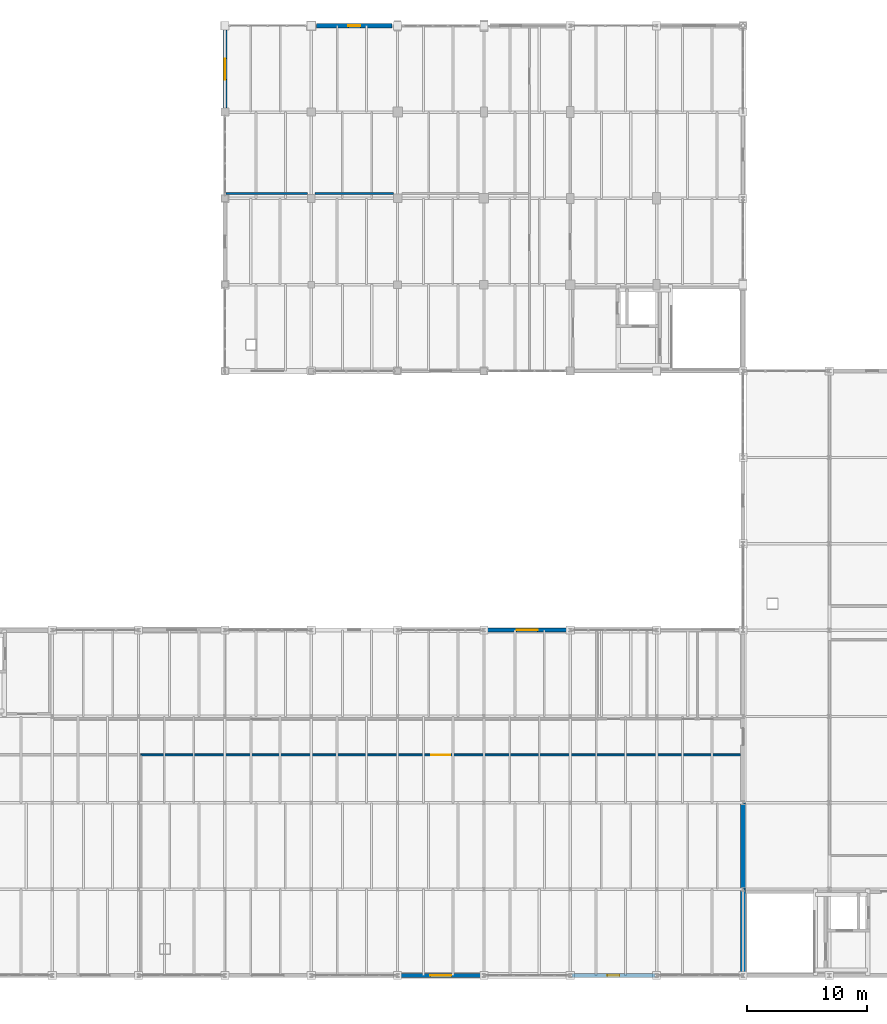
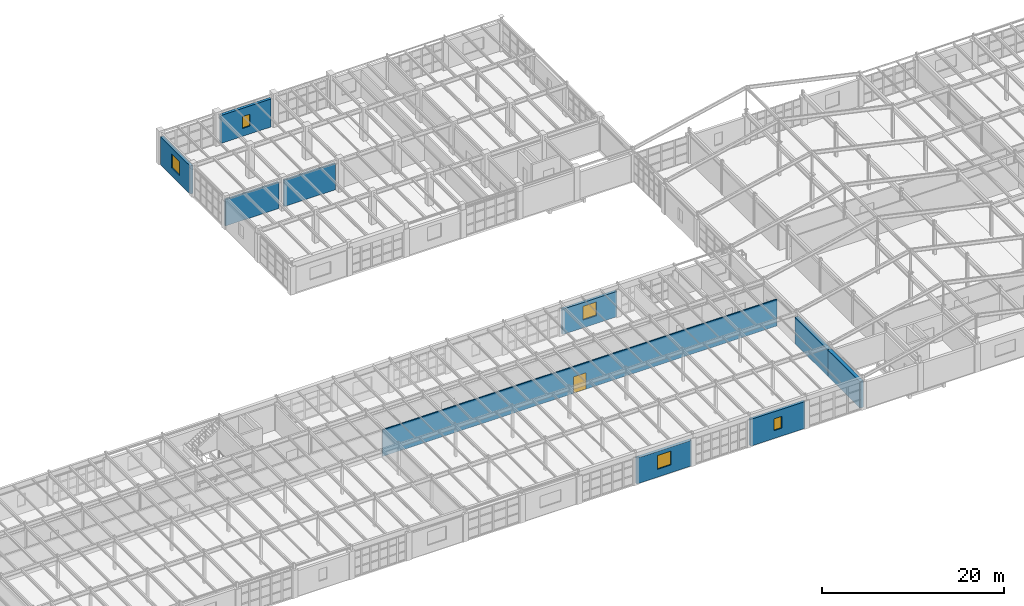
# One storey, part 128 of 137: 10 walls, 5 windows, 1 door, 6 openings.
"""IFC4 building model written with IfcOpenShell, lengths in metres."""

from ifc_helpers import new_model, si_unit, direction, frame, frame_2d, origin, place, context, subcontext, project, spatial, rectangle, extrude, material, layer, layer_set, type_object, element, fill, save


model = new_model("IFC4")

# Units and contexts
model_context = context("Model", 3, precision=1e-05, world=origin(), true_north=direction((0.0, 1.0)))
body_context = subcontext(model_context, "Body", "Model", "MODEL_VIEW")
ifc_project = project(units=[si_unit("LENGTHUNIT", "METRE"), si_unit("AREAUNIT", "SQUARE_METRE"), si_unit("VOLUMEUNIT", "CUBIC_METRE"), si_unit("PLANEANGLEUNIT", "RADIAN"), si_unit("MASSUNIT", "GRAM", prefix="KILO")], contexts=[model_context])

# Site, building, storey
site_placement = place(None, origin())
site = spatial("IfcSite", under=ifc_project, at=site_placement, CompositionType="ELEMENT")
building_placement = place(site_placement, origin())
building = spatial("IfcBuilding", under=site, at=building_placement, Name="Kemerveld Promenade Tramway Depot", CompositionType="ELEMENT")
storey_placement = place(building_placement, frame((0.0, 0.0, 5.39990234375)))
storey = spatial("IfcBuildingStorey", under=building, at=storey_placement, Name="L01", CompositionType="ELEMENT", Elevation=5.39990234375)

# Wall, opening, window
ifc_material_1 = material(Name="Banded granite and red-ochre clay brick masonry", Category="masonry")
ifc_layer_1 = layer(ifc_material_1, 0.35009765625)
ifc_layer_set_1 = layer_set([ifc_layer_1], Name="WL-EXT-350")
wall_type_1 = type_object("IfcWallType", Name="WL-EXT-350", PredefinedType="SOLIDWALL", material=ifc_layer_set_1)
wall_1_placement = place(storey_placement, frame((151.0498046875, 0.0, 0.0), z_axis=(0.0, 0.0, 1.0), x_axis=(-1.0, 0.0, 0.0)))
wall_1 = element("IfcWall", 1, at=wall_1_placement, inside=storey, type_object=wall_type_1, Name="WL-L01-V4S-02", PredefinedType="SOLIDWALL", context=body_context, shape_type="SweptSolid", body=[
    extrude(rectangle(XDim=6.899658203125, YDim=0.35009765625, at=frame_2d((3.44970703125, 0.0))), origin(), (0.0, 0.0, 1.0), 3.590087890625),
])
opening_1_placement = place(wall_1_placement, frame((2.949951171875, 0.0, 1.050048828125)))
opening_1 = element("IfcOpeningElement", 2, at=opening_1_placement, cuts=wall_1, Name="Opening W-157", PredefinedType="OPENING", context=body_context, shape_type="SweptSolid", body=[
    extrude(rectangle(XDim=1.0, YDim=1.60009765625, at=frame_2d((0.5, 0.800048828125))), frame((0.0, 0.18505859375, 0.0), z_axis=(0.0, -1.0, 0.0), x_axis=(1.0, 0.0, 0.0)), (0.0, 0.0, 1.0), 0.3701171875),
])
ifc_material_2 = material(Name="Bronze anodised aluminium and low-e glass", Category="aluminium")
window_type_1 = type_object("IfcWindowType", Name="WN-20", PartitioningType="SINGLE_PANEL", PredefinedType="WINDOW", material=ifc_material_2)
window_1_placement = place(opening_1_placement, origin())
window_1 = element("IfcWindow", 3, at=window_1_placement, inside=storey, type_object=window_type_1, Name="WN-L01-V4S-02", OverallHeight=1.60009765625, OverallWidth=1.0, PartitioningType="SINGLE_PANEL", PredefinedType="WINDOW", context=body_context, shape_type="SweptSolid", body=[
    extrude(rectangle(XDim=1.0, YDim=1.60009765625, at=frame_2d((0.5, 0.800048828125))), frame((0.0, 0.030029296875, 0.0), z_axis=(0.0, -1.0, 0.0), x_axis=(1.0, 0.0, 0.0)), (0.0, 0.0, 1.0), 0.06005859375),
])
fill(opening_1, window_1)

wall_2_placement = place(storey_placement, frame((136.64990234375, 0.0, 0.0), z_axis=(0.0, 0.0, 1.0), x_axis=(-1.0, 0.0, 0.0)))
wall_2 = element("IfcWall", 4, at=wall_2_placement, inside=storey, type_object=wall_type_1, Name="WL-L01-V4S-04", PredefinedType="SOLIDWALL", context=body_context, shape_type="SweptSolid", body=[
    extrude(rectangle(XDim=6.89990234375, YDim=0.35009765625, at=frame_2d((3.449951171875, 0.0))), origin(), (0.0, 0.0, 1.0), 3.440185546875),
])
opening_2_placement = place(wall_2_placement, frame((2.574951171875, 0.0, 1.050048828125)))
opening_2 = element("IfcOpeningElement", 5, at=opening_2_placement, cuts=wall_2, Name="Opening W-158", PredefinedType="OPENING", context=body_context, shape_type="SweptSolid", body=[
    extrude(rectangle(XDim=1.75, YDim=1.85009765625, at=frame_2d((0.875, 0.925048828125))), frame((0.0, 0.18505859375, 0.0), z_axis=(0.0, -1.0, 0.0), x_axis=(1.0, 0.0, 0.0)), (0.0, 0.0, 1.0), 0.3701171875),
])
window_type_2 = type_object("IfcWindowType", Name="WN-30", PartitioningType="SINGLE_PANEL", PredefinedType="WINDOW", material=ifc_material_2)
window_2_placement = place(opening_2_placement, origin())
window_2 = element("IfcWindow", 6, at=window_2_placement, inside=storey, type_object=window_type_2, Name="WN-L01-V4S-04", OverallHeight=1.85009765625, OverallWidth=1.75, PartitioningType="SINGLE_PANEL", PredefinedType="WINDOW", context=body_context, shape_type="SweptSolid", body=[
    extrude(rectangle(XDim=1.75, YDim=1.85009765625, at=frame_2d((0.875, 0.925048828125))), frame((0.0, 0.030029296875, 0.0), z_axis=(0.0, -1.0, 0.0), x_axis=(1.0, 0.0, 0.0)), (0.0, 0.0, 1.0), 0.06005859375),
])
fill(opening_2, window_2)

wall_3_placement = place(storey_placement, frame((136.9501953125, 28.800048828125, 0.0), z_axis=(0.0, 0.0, 1.0), x_axis=(1.0, 0.0, 0.0)))
wall_3 = element("IfcWall", 7, at=wall_3_placement, inside=storey, type_object=wall_type_1, Name="WL-L01-V4N-12", PredefinedType="SOLIDWALL", context=body_context, shape_type="SweptSolid", body=[
    extrude(rectangle(XDim=6.899658203125, YDim=0.35009765625, at=frame_2d((3.44970703125, 0.0))), origin(), (0.0, 0.0, 1.0), 3.39013671875),
])
opening_3_placement = place(wall_3_placement, frame((2.574951171875, 0.0, 1.050048828125)))
opening_3 = element("IfcOpeningElement", 8, at=opening_3_placement, cuts=wall_3, Name="Opening W-168", PredefinedType="OPENING", context=body_context, shape_type="SweptSolid", body=[
    extrude(rectangle(XDim=1.75, YDim=1.85009765625, at=frame_2d((0.875, 0.925048828125))), frame((0.0, 0.18505859375, 0.0), z_axis=(0.0, -1.0, 0.0), x_axis=(1.0, 0.0, 0.0)), (0.0, 0.0, 1.0), 0.3701171875),
])
window_3_placement = place(opening_3_placement, origin())
window_3 = element("IfcWindow", 9, at=window_3_placement, inside=storey, type_object=window_type_2, Name="WN-L01-V4N-12", OverallHeight=1.85009765625, OverallWidth=1.75, PartitioningType="SINGLE_PANEL", PredefinedType="WINDOW", context=body_context, shape_type="SweptSolid", body=[
    extrude(rectangle(XDim=1.75, YDim=1.85009765625, at=frame_2d((0.875, 0.925048828125))), frame((0.0, 0.030029296875, 0.0), z_axis=(0.0, -1.0, 0.0), x_axis=(1.0, 0.0, 0.0)), (0.0, 0.0, 1.0), 0.06005859375),
])
fill(opening_3, window_3)

wall_4_placement = place(storey_placement, frame((115.199951171875, 72.344970703125, 0.0), z_axis=(0.0, 0.0, 1.0), x_axis=(0.0, 1.0, 0.0)))
wall_4 = element("IfcWall", 10, at=wall_4_placement, inside=storey, type_object=wall_type_1, Name="WL-L01-V3W-04", PredefinedType="SOLIDWALL", context=body_context, shape_type="SweptSolid", body=[
    extrude(rectangle(XDim=6.485107421875, YDim=0.35009765625, at=frame_2d((3.24267578125, 0.0))), origin(), (0.0, 0.0, 1.0), 3.75),
])
opening_4_placement = place(wall_4_placement, frame((2.367919921875, 0.0, 1.050048828125)))
opening_4 = element("IfcOpeningElement", 11, at=opening_4_placement, cuts=wall_4, Name="Opening W-171", PredefinedType="OPENING", context=body_context, shape_type="SweptSolid", body=[
    extrude(rectangle(XDim=1.75, YDim=1.85009765625, at=frame_2d((0.875, 0.925048828125))), frame((0.0, 0.18505859375, 0.0), z_axis=(0.0, -1.0, 0.0), x_axis=(1.0, 0.0, 0.0)), (0.0, 0.0, 1.0), 0.3701171875),
])
window_4_placement = place(opening_4_placement, origin())
window_4 = element("IfcWindow", 12, at=window_4_placement, inside=storey, type_object=window_type_2, Name="WN-L01-V3W-04", OverallHeight=1.85009765625, OverallWidth=1.75, PartitioningType="SINGLE_PANEL", PredefinedType="WINDOW", context=body_context, shape_type="SweptSolid", body=[
    extrude(rectangle(XDim=1.75, YDim=1.85009765625, at=frame_2d((0.875, 0.925048828125))), frame((0.0, 0.030029296875, 0.0), z_axis=(0.0, -1.0, 0.0), x_axis=(1.0, 0.0, 0.0)), (0.0, 0.0, 1.0), 0.06005859375),
])
fill(opening_4, window_4)

wall_5_placement = place(storey_placement, frame((122.820068359375, 79.199951171875, 0.0), z_axis=(0.0, 0.0, 1.0), x_axis=(1.0, 0.0, 0.0)))
wall_5 = element("IfcWall", 13, at=wall_5_placement, inside=storey, type_object=wall_type_1, Name="WL-L01-V3N-02", PredefinedType="SOLIDWALL", context=body_context, shape_type="SweptSolid", body=[
    extrude(rectangle(XDim=6.3349609375, YDim=0.35009765625, at=frame_2d((3.16748046875, 0.0))), origin(), (0.0, 0.0, 1.0), 3.75),
])
opening_5_placement = place(wall_5_placement, frame((2.6669921875, 0.0, 1.050048828125)))
opening_5 = element("IfcOpeningElement", 14, at=opening_5_placement, cuts=wall_5, Name="Opening W-172", PredefinedType="OPENING", context=body_context, shape_type="SweptSolid", body=[
    extrude(rectangle(XDim=1.0, YDim=1.60009765625, at=frame_2d((0.5, 0.800048828125))), frame((0.0, 0.18505859375, 0.0), z_axis=(0.0, -1.0, 0.0), x_axis=(1.0, 0.0, 0.0)), (0.0, 0.0, 1.0), 0.3701171875),
])
window_5_placement = place(opening_5_placement, origin())
window_5 = element("IfcWindow", 15, at=window_5_placement, inside=storey, type_object=window_type_1, Name="WN-L01-V3N-02", OverallHeight=1.60009765625, OverallWidth=1.0, PartitioningType="SINGLE_PANEL", PredefinedType="WINDOW", context=body_context, shape_type="SweptSolid", body=[
    extrude(rectangle(XDim=1.0, YDim=1.60009765625, at=frame_2d((0.5, 0.800048828125))), frame((0.0, 0.030029296875, 0.0), z_axis=(0.0, -1.0, 0.0), x_axis=(1.0, 0.0, 0.0)), (0.0, 0.0, 1.0), 0.06005859375),
])
fill(opening_5, window_5)

# Walls
ifc_material_3 = material(Name="Concrete C40/50", Category="concrete")
ifc_layer_2 = layer(ifc_material_3, 0.449951171875)
ifc_layer_set_2 = layer_set([ifc_layer_2], Name="WL-FIRE-450")
wall_type_2 = type_object("IfcWallType", Name="WL-FIRE-450", PredefinedType="SOLIDWALL", material=ifc_layer_set_2)
wall_6_placement = place(storey_placement, frame((158.39990234375, 0.15380859375, 0.0), z_axis=(0.0, 0.0, 1.0), x_axis=(0.0, 1.0, 0.0)))
element("IfcWall", 16, at=wall_6_placement, inside=storey, type_object=wall_type_2, Name="WL-FIRE-L01-F42-1", PredefinedType="SOLIDWALL", context=body_context, shape_type="SweptSolid", body=[
    extrude(rectangle(XDim=7.046142578125, YDim=0.449951171875, at=frame_2d((3.52294921875, 0.0))), origin(), (0.0, 0.0, 1.0), 3.552734375),
])
wall_7_placement = place(storey_placement, frame((158.39990234375, 7.199951171875, 0.0), z_axis=(0.0, 0.0, 1.0), x_axis=(0.0, 1.0, 0.0)))
element("IfcWall", 17, at=wall_7_placement, inside=storey, type_object=wall_type_2, Name="WL-FIRE-L01-F42-2", PredefinedType="SOLIDWALL", context=body_context, shape_type="SweptSolid", body=[
    extrude(rectangle(XDim=7.199951171875, YDim=0.449951171875, at=frame_2d((3.60009765625, 0.0))), origin(), (0.0, 0.0, 1.0), 3.552734375),
])

# Wall, opening, door
ifc_material_4 = material(Name="Acoustic twin-stud gypsum partition")
ifc_layer_3 = layer(ifc_material_4, 0.159912109375)
ifc_layer_set_3 = layer_set([ifc_layer_3], Name="WL-PRT-160")
wall_type_3 = type_object("IfcWallType", Name="WL-PRT-160", PredefinedType="PARTITIONING", material=ifc_layer_set_3)
wall_8_placement = place(storey_placement, frame((108.199951171875, 18.39990234375, 0.0), z_axis=(0.0, 0.0, 1.0), x_axis=(1.0, 0.0, 0.0)))
wall_8 = element("IfcWall", 18, at=wall_8_placement, inside=storey, type_object=wall_type_3, Name="WL-PRT-RM-L01-V4-GAL2", PredefinedType="PARTITIONING", context=body_context, shape_type="SweptSolid", body=[
    extrude(rectangle(XDim=49.97509765625, YDim=0.159912109375, at=frame_2d((24.987548828125, 0.0))), origin(), (0.0, 0.0, 1.0), 3.550048828125),
])
opening_6_placement = place(wall_8_placement, frame((24.199951171875, 0.0, 0.0)))
opening_6 = element("IfcOpeningElement", 19, at=opening_6_placement, cuts=wall_8, Name="Opening D-637", PredefinedType="OPENING", context=body_context, shape_type="SweptSolid", body=[
    extrude(rectangle(XDim=1.60009765625, YDim=2.199951171875, at=frame_2d((0.800048828125, 1.10009765625))), frame((0.0, 0.08984375, 0.0), z_axis=(0.0, -1.0, 0.0), x_axis=(1.0, 0.0, 0.0)), (0.0, 0.0, 1.0), 0.179931640625),
])
ifc_material_5 = material(Name="Double glazed gallery and canteen door")
door_type = type_object("IfcDoorType", Name="DR-INT05", OperationType="DOUBLE_SWING_LEFT", PredefinedType="DOOR", material=ifc_material_5)
door_placement = place(opening_6_placement, origin())
door = element("IfcDoor", 20, at=door_placement, inside=storey, type_object=door_type, Name="DR-RM-RM-L01-V4-GAL2", OperationType="DOUBLE_SWING_LEFT", OverallHeight=2.199951171875, OverallWidth=1.60009765625, PredefinedType="DOOR", context=body_context, shape_type="SweptSolid", body=[
    extrude(rectangle(XDim=1.60009765625, YDim=2.199951171875, at=frame_2d((0.800048828125, 1.10009765625))), frame((0.0, 0.02490234375, 0.0), z_axis=(0.0, -1.0, 0.0), x_axis=(1.0, 0.0, 0.0)), (0.0, 0.0, 1.0), 0.050048828125),
])
fill(opening_6, door)

# Walls
ifc_material_6 = material(Name="Plant and substation fire partition")
ifc_layer_4 = layer(ifc_material_6, 0.18994140625)
ifc_layer_set_4 = layer_set([ifc_layer_4], Name="WL-PRT-190")
wall_type_4 = type_object("IfcWallType", Name="WL-PRT-190", PredefinedType="PARTITIONING", material=ifc_layer_set_4)
wall_9_placement = place(storey_placement, frame((115.300048828125, 65.199951171875, 0.0), z_axis=(0.0, 0.0, 1.0), x_axis=(1.0, 0.0, 0.0)))
element("IfcWall", 21, at=wall_9_placement, inside=storey, type_object=wall_type_4, Name="WL-DIV-L01-018", PredefinedType="PARTITIONING", context=body_context, shape_type="SweptSolid", body=[
    extrude(rectangle(XDim=6.77294921875, YDim=0.18994140625, at=frame_2d((3.386474609375, 0.0))), origin(), (0.0, 0.0, 1.0), 3.550048828125),
])
wall_10_placement = place(storey_placement, frame((122.72705078125, 65.199951171875, 0.0), z_axis=(0.0, 0.0, 1.0), x_axis=(1.0, 0.0, 0.0)))
element("IfcWall", 22, at=wall_10_placement, inside=storey, type_object=wall_type_4, Name="WL-DIV-L01-019", PredefinedType="PARTITIONING", context=body_context, shape_type="SweptSolid", body=[
    extrude(rectangle(XDim=6.52099609375, YDim=0.18994140625, at=frame_2d((3.260498046875, 0.0))), origin(), (0.0, 0.0, 1.0), 3.550048828125),
])

save(model, "model.ifc")
